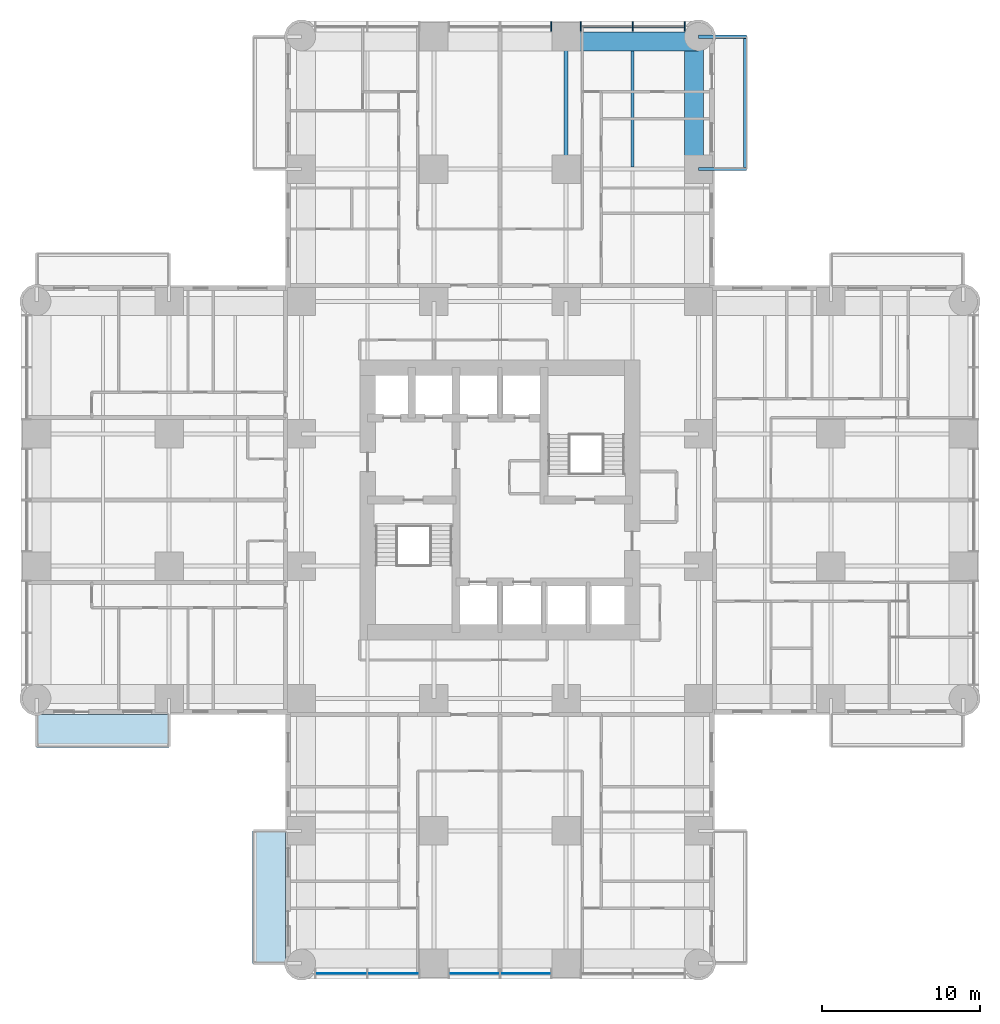
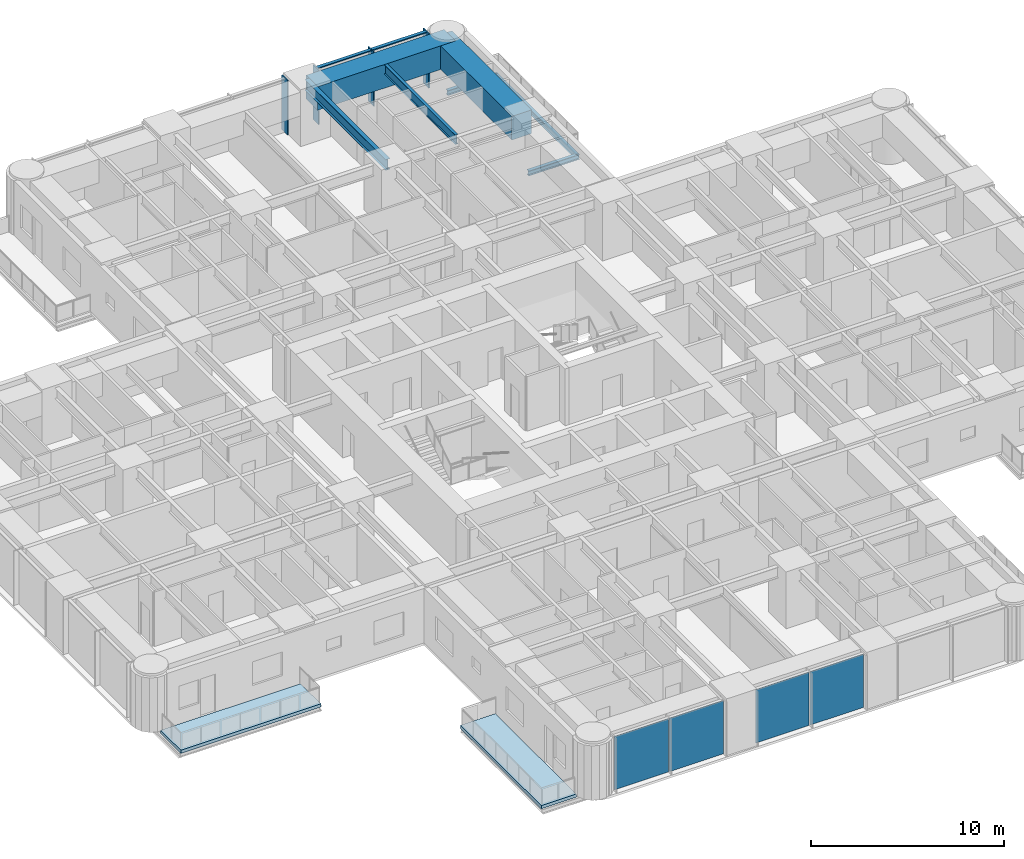
# One storey, part 5 of 17: 7 beams, 6 members, 4 plates, 2 slabs, 2 elements without a shape of their own.
"""IFC4 building model written with IfcOpenShell, lengths in metres."""

from ifc_helpers import new_model, si_unit, direction, frame, origin, origin_2d, place, context, subcontext, project, spatial, polyline, rectangle, i_section, outline, extrude, material, layer, layer_set, material_profile, profile_set, type_object, element, aggregate, save


model = new_model("IFC4")

# Units and contexts
model_context = context("Model", 3, precision=1e-05, world=origin(), true_north=direction((0.0, 1.0)))
body_context = subcontext(model_context, "Body", "Model", "MODEL_VIEW")
ifc_project = project(units=[si_unit("LENGTHUNIT", "METRE"), si_unit("AREAUNIT", "SQUARE_METRE"), si_unit("VOLUMEUNIT", "CUBIC_METRE"), si_unit("PLANEANGLEUNIT", "RADIAN"), si_unit("MASSUNIT", "GRAM", prefix="KILO")], contexts=[model_context])

# Site, building, storey
site_placement = place(None, origin())
site = spatial("IfcSite", under=ifc_project, at=site_placement, CompositionType="ELEMENT")
building_placement = place(site_placement, origin())
building = spatial("IfcBuilding", under=site, at=building_placement, Name="Torre Alcanfor", CompositionType="ELEMENT")
storey_placement = place(building_placement, frame((0.0, 0.0, 77.699951171875)))
storey = spatial("IfcBuildingStorey", under=building, at=storey_placement, Name="L19", CompositionType="ELEMENT", Elevation=77.699951171875)

# Beams
ifc_material_1 = material(Name="Steel ASTM A992 Grade 50", Category="steel")
ifc_material_profile_1 = material_profile(ifc_material_1, i_section(OverallWidth=0.205322265625, OverallDepth=0.309814453125, WebThickness=0.00927734375, FlangeThickness=0.016357421875, at=origin_2d()), Name="W12x50")
ifc_profile_set_1 = profile_set([ifc_material_profile_1], Name="Steel ASTM A992 Grade 50")
beam_type_1 = type_object("IfcBeamType", Name="Balcony cantilever beam W12x50", PredefinedType="BEAM", material=ifc_profile_set_1)
for number, where, z_axis, x_axis, name in (
    (1, (42.0, 50.39990234375, -0.35498046875), (1.0, 0.0, 0.0), (0.0, 1.0, 0.0), "Balcony cantilever beam L19-N2 1"),
    (2, (42.0, 58.800048828125, -0.35498046875), (1.0, 0.0, 0.0), (0.0, 1.0, 0.0), "Balcony cantilever beam L19-N2 2"),
):
    element("IfcBeam", number, at=place(storey_placement, frame(where, z_axis=z_axis, x_axis=x_axis)), inside=storey, type_object=beam_type_1, Name=name, PredefinedType="BEAM", context=body_context, shape_type="SweptSolid", body=[
        extrude(i_section(OverallWidth=0.205322265625, OverallDepth=0.309814453125, WebThickness=0.00927734375, FlangeThickness=0.016357421875, at=origin_2d()), origin(), (0.0, 0.0, 1.0), 3.050048828125),
    ])
ifc_material_2 = material(Name="Steel ASTM A992 Grade 50", Category="steel")
ifc_material_profile_2 = material_profile(ifc_material_2, i_section(OverallWidth=0.203369140625, OverallDepth=0.30224609375, WebThickness=0.007568359375, FlangeThickness=0.01318359375, at=origin_2d()), Name="W12x40")
ifc_profile_set_2 = profile_set([ifc_material_profile_2], Name="Steel ASTM A992 Grade 50")
beam_type_2 = type_object("IfcBeamType", Name="Balcony edge trimmer W12x40", PredefinedType="BEAM", material=ifc_profile_set_2)
beam_1_placement = place(storey_placement, frame((44.9482421875, 50.39990234375, -0.35107421875), z_axis=(0.0, 1.0, 0.0), x_axis=(-1.0, 0.0, 0.0)))
element("IfcBeam", 3, at=beam_1_placement, inside=storey, type_object=beam_type_2, Name="Balcony edge trimmer L19-N2", PredefinedType="BEAM", context=body_context, shape_type="SweptSolid", body=[
    extrude(i_section(OverallWidth=0.203369140625, OverallDepth=0.30224609375, WebThickness=0.007568359375, FlangeThickness=0.01318359375, at=origin_2d()), origin(), (0.0, 0.0, 1.0), 8.400146484375),
])

# Curtain wall, members
ifc_material_3 = material(Name="Aluminium and glass", Category="aluminium")
curtain_wall_type = type_object("IfcCurtainWallType", Name="CW-A unitised apartment glazing with vertical FIN", PredefinedType="NOTDEFINED", material=ifc_material_3)
curtain_wall_1_placement = place(storey_placement, origin())
curtain_wall_1 = element("IfcCurtainWall", 4, at=curtain_wall_1_placement, inside=storey, type_object=curtain_wall_type, Name="Curtain wall CW-A L19 11", PredefinedType="NOTDEFINED")
ifc_material_4 = material(Name="Bronze anodised aluminium", Category="aluminium")
ifc_material_profile_3 = material_profile(ifc_material_4, rectangle(XDim=0.60009765625, YDim=0.06494140625, at=origin_2d()), Name="CW-A mullion 65x600")
ifc_profile_set_3 = profile_set([ifc_material_profile_3], Name="Bronze anodised aluminium")
member_type_1 = type_object("IfcMemberType", Name="CW-A mullion with vertical FIN 65x600", PredefinedType="MULLION", material=ifc_profile_set_3)
member_1_placement = place(storey_placement, frame((41.133056640625, 59.449951171875, 0.0), z_axis=(0.0, 0.0, 1.0), x_axis=(0.0, -1.0, 0.0)))
member_1 = element("IfcMember", 5, at=member_1_placement, type_object=member_type_1, Name="CW-A mullion 1.1", PredefinedType="MULLION", context=body_context, shape_type="SweptSolid", body=[
    extrude(rectangle(XDim=0.60009765625, YDim=0.06494140625, at=origin_2d()), origin(), (0.0, 0.0, 1.0), 3.449951171875),
])
member_2_placement = place(storey_placement, frame((37.835205078125, 59.449951171875, 0.0), z_axis=(0.0, 0.0, 1.0), x_axis=(0.0, -1.0, 0.0)))
member_2 = element("IfcMember", 6, at=member_2_placement, type_object=member_type_1, Name="CW-A mullion 1.2", PredefinedType="MULLION", context=body_context, shape_type="SweptSolid", body=[
    extrude(rectangle(XDim=0.60009765625, YDim=0.06494140625, at=origin_2d()), origin(), (0.0, 0.0, 1.0), 3.449951171875),
])
member_3_placement = place(storey_placement, frame((34.53759765625, 59.449951171875, 0.0), z_axis=(0.0, 0.0, 1.0), x_axis=(0.0, -1.0, 0.0)))
member_3 = element("IfcMember", 7, at=member_3_placement, type_object=member_type_1, Name="CW-A mullion 1.3", PredefinedType="MULLION", context=body_context, shape_type="SweptSolid", body=[
    extrude(rectangle(XDim=0.60009765625, YDim=0.06494140625, at=origin_2d()), origin(), (0.0, 0.0, 1.0), 3.449951171875),
])
member_4_placement = place(storey_placement, frame((32.66259765625, 59.449951171875, 0.0), z_axis=(0.0, 0.0, 1.0), x_axis=(0.0, -1.0, 0.0)))
member_4 = element("IfcMember", 8, at=member_4_placement, type_object=member_type_1, Name="CW-A mullion 2.1", PredefinedType="MULLION", context=body_context, shape_type="SweptSolid", body=[
    extrude(rectangle(XDim=0.60009765625, YDim=0.06494140625, at=origin_2d()), origin(), (0.0, 0.0, 1.0), 3.449951171875),
])
ifc_material_5 = material(Name="Extruded aluminium", Category="aluminium")
ifc_material_profile_4 = material_profile(ifc_material_5, rectangle(XDim=0.199951171875, YDim=0.06494140625, at=origin_2d()), Name="CW-A transom 200x65")
ifc_profile_set_4 = profile_set([ifc_material_profile_4], Name="Extruded aluminium")
member_type_2 = type_object("IfcMemberType", Name="CW-A transom 65x200", PredefinedType="USERDEFINED", material=ifc_profile_set_4)
member_5_placement = place(storey_placement, frame((41.1005859375, 59.449951171875, 3.41748046875), z_axis=(-1.0, 0.0, 0.0), x_axis=(0.0, -1.0, 0.0)))
member_5 = element("IfcMember", 9, at=member_5_placement, type_object=member_type_2, Name="CW-A transom 1.1.2", ObjectType="TRANSOM", PredefinedType="USERDEFINED", context=body_context, shape_type="SweptSolid", body=[
    extrude(rectangle(XDim=0.199951171875, YDim=0.06494140625, at=origin_2d()), origin(), (0.0, 0.0, 1.0), 3.23291015625),
])
member_6_placement = place(storey_placement, frame((37.802734375, 59.449951171875, 3.41748046875), z_axis=(-1.0, 0.0, 0.0), x_axis=(0.0, -1.0, 0.0)))
member_6 = element("IfcMember", 10, at=member_6_placement, type_object=member_type_2, Name="CW-A transom 1.2.2", ObjectType="TRANSOM", PredefinedType="USERDEFINED", context=body_context, shape_type="SweptSolid", body=[
    extrude(rectangle(XDim=0.199951171875, YDim=0.06494140625, at=origin_2d()), origin(), (0.0, 0.0, 1.0), 3.232666015625),
])
aggregate(curtain_wall_1, [member_1, member_2, member_3, member_5, member_6, member_4])

# Beams
ifc_material_6 = material(Name="Steel ASTM A992 Grade 50", Category="steel")
ifc_material_profile_5 = material_profile(ifc_material_6, i_section(OverallWidth=0.25390625, OverallDepth=0.683349609375, WebThickness=0.012451171875, FlangeThickness=0.01904296875, at=origin_2d()), Name="W27x94")
ifc_profile_set_5 = profile_set([ifc_material_profile_5], Name="Steel ASTM A992 Grade 50")
beam_type_3 = type_object("IfcBeamType", Name="Girder W27x94", PredefinedType="BEAM", material=ifc_profile_set_5)
beam_2_placement = place(storey_placement, frame((33.60009765625, 50.39990234375, 3.1083984375), z_axis=(0.0, 1.0, 0.0), x_axis=(-1.0, 0.0, 0.0)))
element("IfcBeam", 11, at=beam_2_placement, inside=storey, type_object=beam_type_3, Name="Beam 5J-5K under L20", PredefinedType="BEAM", context=body_context, shape_type="SweptSolid", body=[
    extrude(i_section(OverallWidth=0.25390625, OverallDepth=0.683349609375, WebThickness=0.012451171875, FlangeThickness=0.01904296875, at=origin_2d()), origin(), (0.0, 0.0, 1.0), 8.400146484375),
])
ifc_material_7 = material(Name="Concrete f'c 70 MPa", Category="concrete")
ifc_material_profile_6 = material_profile(ifc_material_7, rectangle(XDim=1.199951171875, YDim=1.5, at=origin_2d()), Name="1200x1500")
ifc_profile_set_6 = profile_set([ifc_material_profile_6], Name="Concrete f'c 70 MPa")
beam_type_4 = type_object("IfcBeamType", Name="RC perimeter beam 1200x1500", PredefinedType="BEAM", material=ifc_profile_set_6)
for number, where, z_axis, x_axis, name in (
    (12, (33.72705078125, 58.5, 2.699951171875), (1.0, 0.0, 0.0), (0.0, 1.0, 0.0), "Beam 5K-6K under L20"),
    (13, (41.699951171875, 50.527099609375, 2.699951171875), (0.0, 1.0, 0.0), (-1.0, 0.0, 0.0), "Beam 6J-6K under L20"),
):
    element("IfcBeam", number, at=place(storey_placement, frame(where, z_axis=z_axis, x_axis=x_axis)), inside=storey, type_object=beam_type_4, Name=name, PredefinedType="BEAM", context=body_context, shape_type="SweptSolid", body=[
        extrude(rectangle(XDim=1.199951171875, YDim=1.5, at=origin_2d()), origin(), (0.0, 0.0, 1.0), 8.27294921875),
    ])
ifc_material_8 = material(Name="Steel ASTM A992 Grade 50", Category="steel")
ifc_material_profile_7 = material_profile(ifc_material_8, i_section(OverallWidth=0.1787109375, OverallDepth=0.60205078125, WebThickness=0.010986328125, FlangeThickness=0.014892578125, at=origin_2d()), Name="W24x62")
ifc_profile_set_7 = profile_set([ifc_material_profile_7], Name="Steel ASTM A992 Grade 50")
beam_type_5 = type_object("IfcBeamType", Name="Secondary beam W24x62", PredefinedType="BEAM", material=ifc_profile_set_7)
beam_3_placement = place(storey_placement, frame((37.800048828125, 50.527099609375, 3.149169921875), z_axis=(0.0, 1.0, 0.0), x_axis=(-1.0, 0.0, 0.0)))
element("IfcBeam", 14, at=beam_3_placement, inside=storey, type_object=beam_type_5, Name="Beam 37_8J-37_8K under L20", PredefinedType="BEAM", context=body_context, shape_type="SweptSolid", body=[
    extrude(i_section(OverallWidth=0.1787109375, OverallDepth=0.60205078125, WebThickness=0.010986328125, FlangeThickness=0.014892578125, at=origin_2d()), origin(), (0.0, 0.0, 1.0), 7.372802734375),
])

# Slabs
ifc_material_9 = material(Name="Concrete f'c 35 MPa", Category="concrete")
ifc_layer_1 = layer(ifc_material_9, 0.199951171875)
ifc_layer_set_1 = layer_set([ifc_layer_1], Name="Balcony slab 200")
slab_type = type_object("IfcSlabType", Name="Balcony slab 200", PredefinedType="FLOOR", material=ifc_layer_set_1)
slab_1_placement = place(storey_placement, frame((0.0, 0.0, -0.199951171875)))
element("IfcSlab", 15, at=slab_1_placement, inside=storey, type_object=slab_type, Name="Balcony L19-S2", PredefinedType="FLOOR", context=body_context, shape_type="SweptSolid", body=[
    extrude(outline(polyline([(13.699951171875, 8.39990234375), (13.699951171875, 0.0), (15.800048828125, 0.0), (15.800048828125, 8.39990234375), (13.699951171875, 8.39990234375)])), origin(), (0.0, 0.0, 1.0), 0.199951171875),
])
slab_2_placement = place(storey_placement, frame((0.0, 0.0, -0.199951171875)))
element("IfcSlab", 16, at=slab_2_placement, inside=storey, type_object=slab_type, Name="Balcony L19-W1", PredefinedType="FLOOR", context=body_context, shape_type="SweptSolid", body=[
    extrude(outline(polyline([(8.39990234375, 15.800048828125), (0.0, 15.800048828125), (0.0, 13.699951171875), (8.39990234375, 13.699951171875), (8.39990234375, 15.800048828125)])), origin(), (0.0, 0.0, 1.0), 0.199951171875),
])

# Curtain wall, plates
curtain_wall_2_placement = place(storey_placement, origin())
curtain_wall_2 = element("IfcCurtainWall", 17, at=curtain_wall_2_placement, inside=storey, type_object=curtain_wall_type, Name="Curtain wall CW-A L19 5", PredefinedType="NOTDEFINED")
ifc_material_10 = material(Name="Glass", Category="glass")
ifc_layer_2 = layer(ifc_material_10, 0.028076171875)
ifc_layer_set_2 = layer_set([ifc_layer_2], Name="CW-A clear double glazed unit")
plate_type = type_object("IfcPlateType", Name="CW-A clear double glazed unit", PredefinedType="CURTAIN_PANEL", material=ifc_layer_set_2)
plate_1_placement = place(storey_placement, frame((19.31591796875, -0.64990234375, 0.0), z_axis=(0.0, 0.0, 1.0), x_axis=(1.0, 0.0, 0.0)))
plate_1 = element("IfcPlate", 18, at=plate_1_placement, type_object=plate_type, Name="CW-A panel 1.1.1", PredefinedType="CURTAIN_PANEL", context=body_context, shape_type="SweptSolid", body=[
    extrude(rectangle(XDim=3.232666015625, YDim=0.028076171875, at=origin_2d()), origin(), (0.0, 0.0, 1.0), 3.385009765625),
])
plate_2_placement = place(storey_placement, frame((22.613525390625, -0.64990234375, 0.0), z_axis=(0.0, 0.0, 1.0), x_axis=(1.0, 0.0, 0.0)))
plate_2 = element("IfcPlate", 19, at=plate_2_placement, type_object=plate_type, Name="CW-A panel 1.2.1", PredefinedType="CURTAIN_PANEL", context=body_context, shape_type="SweptSolid", body=[
    extrude(rectangle(XDim=3.232666015625, YDim=0.028076171875, at=origin_2d()), origin(), (0.0, 0.0, 1.0), 3.385009765625),
])
plate_3_placement = place(storey_placement, frame((27.768798828125, -0.64990234375, 0.0), z_axis=(0.0, 0.0, 1.0), x_axis=(1.0, 0.0, 0.0)))
plate_3 = element("IfcPlate", 20, at=plate_3_placement, type_object=plate_type, Name="CW-A panel 2.1.1", PredefinedType="CURTAIN_PANEL", context=body_context, shape_type="SweptSolid", body=[
    extrude(rectangle(XDim=3.197509765625, YDim=0.028076171875, at=origin_2d()), origin(), (0.0, 0.0, 1.0), 3.385009765625),
])
plate_4_placement = place(storey_placement, frame((31.03125, -0.64990234375, 0.0), z_axis=(0.0, 0.0, 1.0), x_axis=(1.0, 0.0, 0.0)))
plate_4 = element("IfcPlate", 21, at=plate_4_placement, type_object=plate_type, Name="CW-A panel 2.2.1", PredefinedType="CURTAIN_PANEL", context=body_context, shape_type="SweptSolid", body=[
    extrude(rectangle(XDim=3.197509765625, YDim=0.028076171875, at=origin_2d()), origin(), (0.0, 0.0, 1.0), 3.385009765625),
])
aggregate(curtain_wall_2, [plate_1, plate_2, plate_3, plate_4])

save(model, "model.ifc")
